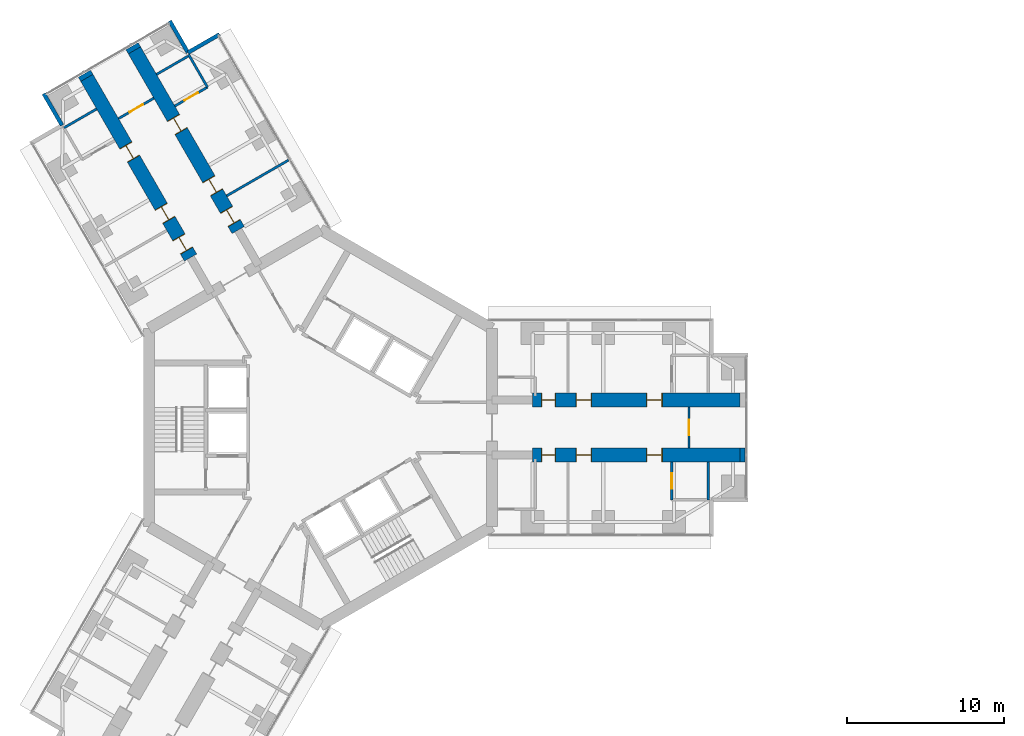
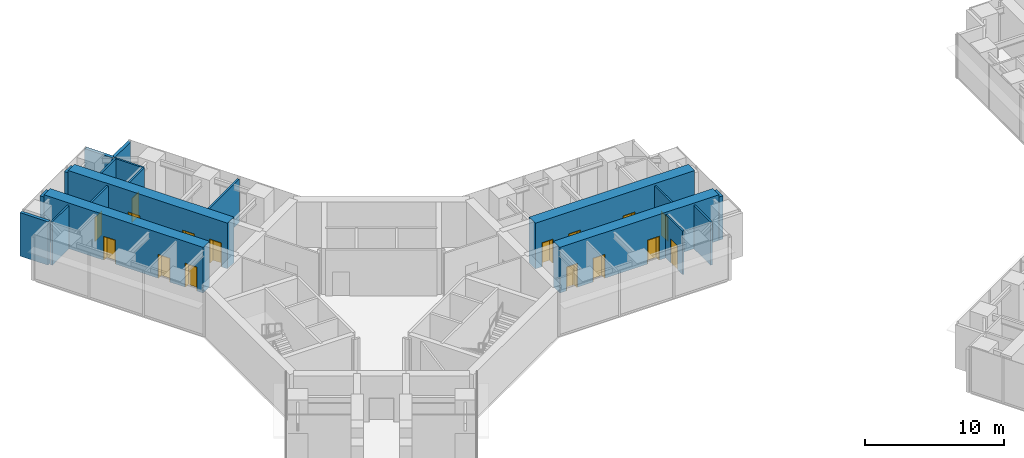
# One storey, part 19 of 24: 19 walls, 16 doors, 16 openings.
"""IFC4 building model written with IfcOpenShell, lengths in metres."""

from ifc_helpers import new_model, si_unit, direction, frame, frame_2d, origin, place, context, subcontext, project, spatial, rectangle, extrude, material, layer, layer_set, type_object, element, fill, save


model = new_model("IFC4")

# Units and contexts
model_context = context("Model", 3, precision=1e-05, world=origin(), true_north=direction((0.0, 1.0)))
body_context = subcontext(model_context, "Body", "Model", "MODEL_VIEW")
ifc_project = project(units=[si_unit("LENGTHUNIT", "METRE"), si_unit("AREAUNIT", "SQUARE_METRE"), si_unit("VOLUMEUNIT", "CUBIC_METRE"), si_unit("PLANEANGLEUNIT", "RADIAN"), si_unit("MASSUNIT", "GRAM", prefix="KILO")], contexts=[model_context])

# Site, building, storey
site_placement = place(None, origin())
site = spatial("IfcSite", under=ifc_project, at=site_placement, CompositionType="ELEMENT")
building_placement = place(site_placement, origin())
building = spatial("IfcBuilding", under=site, at=building_placement, Name="Upepo Twin Towers", CompositionType="ELEMENT")
storey_placement = place(building_placement, frame((0.0, 0.0, 56.5)))
storey = spatial("IfcBuildingStorey", under=building, at=storey_placement, Name="L13", CompositionType="ELEMENT", Elevation=56.5)

# Walls
ifc_material_1 = material(Name="Dense concrete blockwork", Category="masonry")
ifc_layer_1 = layer(ifc_material_1, 0.89990234375)
ifc_layer_set_1 = layer_set([ifc_layer_1], Name="Buttress closer 900, blockwork with fire-stopping to the curtain wall")
wall_type_1 = type_object("IfcWallType", Name="Buttress closer 900, blockwork with fire-stopping to the curtain wall", PredefinedType="PARTITIONING", material=ifc_layer_set_1)
for number, where, z_axis, x_axis, name in (
    (1, (26.699951171875, -1.75, 0.0), (0.0, 0.0, 1.0), (1.0, 0.0, 0.0), "T1 L13 wing A buttress closer R"),
    (2, (-14.865478515625, 22.247802734375, 0.0), (0.0, 0.0, 1.0), (-0.499949632511, 0.866054481515, 0.0), "T1 L13 wing B buttress closer L"),
    (3, (-11.83447265625, 23.997802734375, 0.0), (0.0, 0.0, 1.0), (-0.499949632511, 0.866054481515, 0.0), "T1 L13 wing B buttress closer R"),
):
    element("IfcWall", number, at=place(storey_placement, frame(where, z_axis=z_axis, x_axis=x_axis)), inside=storey, type_object=wall_type_1, Name=name, PredefinedType="PARTITIONING", context=body_context, shape_type="SweptSolid", body=[
        extrude(rectangle(XDim=0.31005859375, YDim=0.89990234375, at=frame_2d((0.155029296875, 0.0))), origin(), (0.0, 0.0, 1.0), 3.800048828125),
    ])

# Wall, openings, doors
ifc_material_2 = material(Name="Concrete C60/75", Category="concrete")
ifc_layer_2 = layer(ifc_material_2, 0.89990234375)
ifc_layer_set_2 = layer_set([ifc_layer_2], Name="Concrete C60/75")
wall_type_2 = type_object("IfcWallType", Name="Buttress wall 900 RC", PredefinedType="SHEAR", material=ifc_layer_set_2)
wall_1_placement = place(storey_placement, frame((13.5, 1.75, 0.0), z_axis=(0.0, 0.0, 1.0), x_axis=(1.0, 0.0, 0.0)))
wall_1 = element("IfcWall", 4, at=wall_1_placement, inside=storey, type_object=wall_type_2, Name="T1 wing A buttress wall L part 2", PredefinedType="SHEAR", context=body_context, shape_type="SweptSolid", body=[
    extrude(rectangle(XDim=13.199951171875, YDim=0.89990234375, at=frame_2d((6.60009765625, 0.0))), origin(), (0.0, 0.0, 1.0), 4.0),
])
opening_1_placement = place(wall_1_placement, frame((0.550048828125, 0.0, 0.0)))
opening_1 = element("IfcOpeningElement", 5, at=opening_1_placement, cuts=wall_1, Name="Opening D11", PredefinedType="OPENING", context=body_context, shape_type="SweptSolid", body=[
    extrude(rectangle(XDim=0.89990234375, YDim=2.10009765625, at=frame_2d((0.449951171875, 1.050048828125))), frame((0.0, 0.4599609375, 0.0), z_axis=(0.0, -1.0, 0.0), x_axis=(1.0, 0.0, 0.0)), (0.0, 0.0, 1.0), 0.919921875),
])
opening_2_placement = place(wall_1_placement, frame((2.75, 0.0, 0.0)))
opening_2 = element("IfcOpeningElement", 6, at=opening_2_placement, cuts=wall_1, Name="Opening D1", PredefinedType="OPENING", context=body_context, shape_type="SweptSolid", body=[
    extrude(rectangle(XDim=1.0, YDim=2.10009765625, at=frame_2d((0.5, 1.050048828125))), frame((0.0, 0.4599609375, 0.0), z_axis=(0.0, -1.0, 0.0), x_axis=(1.0, 0.0, 0.0)), (0.0, 0.0, 1.0), 0.919921875),
])
opening_3_placement = place(wall_1_placement, frame((7.25, 0.0, 0.0)))
opening_3 = element("IfcOpeningElement", 7, at=opening_3_placement, cuts=wall_1, Name="Opening D1", PredefinedType="OPENING", context=body_context, shape_type="SweptSolid", body=[
    extrude(rectangle(XDim=1.0, YDim=2.10009765625, at=frame_2d((0.5, 1.050048828125))), frame((0.0, 0.4599609375, 0.0), z_axis=(0.0, -1.0, 0.0), x_axis=(1.0, 0.0, 0.0)), (0.0, 0.0, 1.0), 0.919921875),
])
ifc_material_3 = material(Name="Timber doorset", Category="wood")
door_type_1 = type_object("IfcDoorType", Name="Room door 1000 FD30", OperationType="SINGLE_SWING_LEFT", PredefinedType="DOOR", material=ifc_material_3)
door_1_placement = place(opening_2_placement, origin())
door_1 = element("IfcDoor", 8, at=door_1_placement, inside=storey, type_object=door_type_1, Name="T1 L13 teaching laboratory door", OperationType="SINGLE_SWING_LEFT", OverallHeight=2.10009765625, OverallWidth=1.0, PredefinedType="DOOR", context=body_context, shape_type="SweptSolid", body=[
    extrude(rectangle(XDim=0.92, YDim=2.06009765625, at=frame_2d((0.5, 1.030029296875))), frame((0.0, 0.02490234375, 0.0), z_axis=(0.0, -1.0, 0.0), x_axis=(1.0, 0.0, 0.0)), (0.0, 0.0, 1.0), 0.050048828125),
    extrude(rectangle(XDim=0.04, YDim=2.10009765625, at=frame_2d((0.02001953125, 1.050048828125))), frame((0.0, 0.44970703125, 0.0), z_axis=(0.0, -1.0, 0.0), x_axis=(1.0, 0.0, 0.0)), (0.0, 0.0, 1.0), 0.8994140625),
    extrude(rectangle(XDim=0.04, YDim=2.10009765625, at=frame_2d((0.97998046875, 1.050048828125))), frame((0.0, 0.44970703125, 0.0), z_axis=(0.0, -1.0, 0.0), x_axis=(1.0, 0.0, 0.0)), (0.0, 0.0, 1.0), 0.8994140625),
    extrude(rectangle(XDim=0.92, YDim=0.04, at=frame_2d((0.5, 2.080078125))), frame((0.0, 0.44970703125, 0.0), z_axis=(0.0, -1.0, 0.0), x_axis=(1.0, 0.0, 0.0)), (0.0, 0.0, 1.0), 0.8994140625),
])
fill(opening_2, door_1)
door_2_placement = place(opening_3_placement, origin())
door_2 = element("IfcDoor", 9, at=door_2_placement, inside=storey, type_object=door_type_1, Name="T1 L13 teaching laboratory door", OperationType="SINGLE_SWING_RIGHT", OverallHeight=2.10009765625, OverallWidth=1.0, PredefinedType="DOOR", context=body_context, shape_type="SweptSolid", body=[
    extrude(rectangle(XDim=0.92, YDim=2.06009765625, at=frame_2d((0.5, 1.030029296875))), frame((0.0, 0.02490234375, 0.0), z_axis=(0.0, -1.0, 0.0), x_axis=(1.0, 0.0, 0.0)), (0.0, 0.0, 1.0), 0.050048828125),
    extrude(rectangle(XDim=0.04, YDim=2.10009765625, at=frame_2d((0.02001953125, 1.050048828125))), frame((0.0, 0.44970703125, 0.0), z_axis=(0.0, -1.0, 0.0), x_axis=(1.0, 0.0, 0.0)), (0.0, 0.0, 1.0), 0.8994140625),
    extrude(rectangle(XDim=0.04, YDim=2.10009765625, at=frame_2d((0.97998046875, 1.050048828125))), frame((0.0, 0.44970703125, 0.0), z_axis=(0.0, -1.0, 0.0), x_axis=(1.0, 0.0, 0.0)), (0.0, 0.0, 1.0), 0.8994140625),
    extrude(rectangle(XDim=0.92, YDim=0.04, at=frame_2d((0.5, 2.080078125))), frame((0.0, 0.44970703125, 0.0), z_axis=(0.0, -1.0, 0.0), x_axis=(1.0, 0.0, 0.0)), (0.0, 0.0, 1.0), 0.8994140625),
])
fill(opening_3, door_2)
ifc_material_4 = material(Name="Timber doorset", Category="wood")
door_type_2 = type_object("IfcDoorType", Name="Toilet door 900", OperationType="SINGLE_SWING_LEFT", PredefinedType="DOOR", material=ifc_material_4)
door_3_placement = place(opening_1_placement, origin())
door_3 = element("IfcDoor", 10, at=door_3_placement, inside=storey, type_object=door_type_2, Name="T1 L13 toilets door", OperationType="SINGLE_SWING_LEFT", OverallHeight=2.10009765625, OverallWidth=0.89990234375, PredefinedType="DOOR", context=body_context, shape_type="SweptSolid", body=[
    extrude(rectangle(XDim=0.81990234375, YDim=2.06009765625, at=frame_2d((0.449951171875, 1.030029296875))), frame((0.0, 0.02490234375, 0.0), z_axis=(0.0, -1.0, 0.0), x_axis=(1.0, 0.0, 0.0)), (0.0, 0.0, 1.0), 0.050048828125),
    extrude(rectangle(XDim=0.04, YDim=2.10009765625, at=frame_2d((0.02001953125, 1.050048828125))), frame((0.0, 0.44970703125, 0.0), z_axis=(0.0, -1.0, 0.0), x_axis=(1.0, 0.0, 0.0)), (0.0, 0.0, 1.0), 0.8994140625),
    extrude(rectangle(XDim=0.04, YDim=2.10009765625, at=frame_2d((0.8798828125, 1.050048828125))), frame((0.0, 0.44970703125, 0.0), z_axis=(0.0, -1.0, 0.0), x_axis=(1.0, 0.0, 0.0)), (0.0, 0.0, 1.0), 0.8994140625),
    extrude(rectangle(XDim=0.81990234375, YDim=0.04, at=frame_2d((0.449951171875, 2.080078125))), frame((0.0, 0.44970703125, 0.0), z_axis=(0.0, -1.0, 0.0), x_axis=(1.0, 0.0, 0.0)), (0.0, 0.0, 1.0), 0.8994140625),
])
fill(opening_1, door_3)

wall_2_placement = place(storey_placement, frame((13.5, -1.75, 0.0), z_axis=(0.0, 0.0, 1.0), x_axis=(1.0, 0.0, 0.0)))
wall_2 = element("IfcWall", 11, at=wall_2_placement, inside=storey, type_object=wall_type_2, Name="T1 wing A buttress wall R part 2", PredefinedType="SHEAR", context=body_context, shape_type="SweptSolid", body=[
    extrude(rectangle(XDim=13.199951171875, YDim=0.89990234375, at=frame_2d((6.60009765625, 0.0))), origin(), (0.0, 0.0, 1.0), 4.0),
])
opening_4_placement = place(wall_2_placement, frame((0.550048828125, 0.0, 0.0)))
opening_4 = element("IfcOpeningElement", 12, at=opening_4_placement, cuts=wall_2, Name="Opening D11", PredefinedType="OPENING", context=body_context, shape_type="SweptSolid", body=[
    extrude(rectangle(XDim=0.89990234375, YDim=2.10009765625, at=frame_2d((0.449951171875, 1.050048828125))), frame((0.0, 0.4599609375, 0.0), z_axis=(0.0, -1.0, 0.0), x_axis=(1.0, 0.0, 0.0)), (0.0, 0.0, 1.0), 0.919921875),
])
opening_5_placement = place(wall_2_placement, frame((2.75, 0.0, 0.0)))
opening_5 = element("IfcOpeningElement", 13, at=opening_5_placement, cuts=wall_2, Name="Opening D1", PredefinedType="OPENING", context=body_context, shape_type="SweptSolid", body=[
    extrude(rectangle(XDim=1.0, YDim=2.10009765625, at=frame_2d((0.5, 1.050048828125))), frame((0.0, 0.4599609375, 0.0), z_axis=(0.0, -1.0, 0.0), x_axis=(1.0, 0.0, 0.0)), (0.0, 0.0, 1.0), 0.919921875),
])
opening_6_placement = place(wall_2_placement, frame((7.25, 0.0, 0.0)))
opening_6 = element("IfcOpeningElement", 14, at=opening_6_placement, cuts=wall_2, Name="Opening D1", PredefinedType="OPENING", context=body_context, shape_type="SweptSolid", body=[
    extrude(rectangle(XDim=1.0, YDim=2.10009765625, at=frame_2d((0.5, 1.050048828125))), frame((0.0, 0.4599609375, 0.0), z_axis=(0.0, -1.0, 0.0), x_axis=(1.0, 0.0, 0.0)), (0.0, 0.0, 1.0), 0.919921875),
])
door_4_placement = place(opening_5_placement, origin())
door_4 = element("IfcDoor", 15, at=door_4_placement, inside=storey, type_object=door_type_1, Name="T1 L13 teaching laboratory door", OperationType="SINGLE_SWING_LEFT", OverallHeight=2.10009765625, OverallWidth=1.0, PredefinedType="DOOR", context=body_context, shape_type="SweptSolid", body=[
    extrude(rectangle(XDim=0.92, YDim=2.06009765625, at=frame_2d((0.5, 1.030029296875))), frame((0.0, 0.02490234375, 0.0), z_axis=(0.0, -1.0, 0.0), x_axis=(1.0, 0.0, 0.0)), (0.0, 0.0, 1.0), 0.050048828125),
    extrude(rectangle(XDim=0.04, YDim=2.10009765625, at=frame_2d((0.02001953125, 1.050048828125))), frame((0.0, 0.44970703125, 0.0), z_axis=(0.0, -1.0, 0.0), x_axis=(1.0, 0.0, 0.0)), (0.0, 0.0, 1.0), 0.8994140625),
    extrude(rectangle(XDim=0.04, YDim=2.10009765625, at=frame_2d((0.97998046875, 1.050048828125))), frame((0.0, 0.44970703125, 0.0), z_axis=(0.0, -1.0, 0.0), x_axis=(1.0, 0.0, 0.0)), (0.0, 0.0, 1.0), 0.8994140625),
    extrude(rectangle(XDim=0.92, YDim=0.04, at=frame_2d((0.5, 2.080078125))), frame((0.0, 0.44970703125, 0.0), z_axis=(0.0, -1.0, 0.0), x_axis=(1.0, 0.0, 0.0)), (0.0, 0.0, 1.0), 0.8994140625),
])
fill(opening_5, door_4)
door_5_placement = place(opening_6_placement, origin())
door_5 = element("IfcDoor", 16, at=door_5_placement, inside=storey, type_object=door_type_1, Name="T1 L13 teaching laboratory door", OperationType="SINGLE_SWING_RIGHT", OverallHeight=2.10009765625, OverallWidth=1.0, PredefinedType="DOOR", context=body_context, shape_type="SweptSolid", body=[
    extrude(rectangle(XDim=0.92, YDim=2.06009765625, at=frame_2d((0.5, 1.030029296875))), frame((0.0, 0.02490234375, 0.0), z_axis=(0.0, -1.0, 0.0), x_axis=(1.0, 0.0, 0.0)), (0.0, 0.0, 1.0), 0.050048828125),
    extrude(rectangle(XDim=0.04, YDim=2.10009765625, at=frame_2d((0.02001953125, 1.050048828125))), frame((0.0, 0.44970703125, 0.0), z_axis=(0.0, -1.0, 0.0), x_axis=(1.0, 0.0, 0.0)), (0.0, 0.0, 1.0), 0.8994140625),
    extrude(rectangle(XDim=0.04, YDim=2.10009765625, at=frame_2d((0.97998046875, 1.050048828125))), frame((0.0, 0.44970703125, 0.0), z_axis=(0.0, -1.0, 0.0), x_axis=(1.0, 0.0, 0.0)), (0.0, 0.0, 1.0), 0.8994140625),
    extrude(rectangle(XDim=0.92, YDim=0.04, at=frame_2d((0.5, 2.080078125))), frame((0.0, 0.44970703125, 0.0), z_axis=(0.0, -1.0, 0.0), x_axis=(1.0, 0.0, 0.0)), (0.0, 0.0, 1.0), 0.8994140625),
])
fill(opening_6, door_5)
door_6_placement = place(opening_4_placement, origin())
door_6 = element("IfcDoor", 17, at=door_6_placement, inside=storey, type_object=door_type_2, Name="T1 L13 accessible wc door", OperationType="SINGLE_SWING_LEFT", OverallHeight=2.10009765625, OverallWidth=0.89990234375, PredefinedType="DOOR", context=body_context, shape_type="SweptSolid", body=[
    extrude(rectangle(XDim=0.81990234375, YDim=2.06009765625, at=frame_2d((0.449951171875, 1.030029296875))), frame((0.0, 0.02490234375, 0.0), z_axis=(0.0, -1.0, 0.0), x_axis=(1.0, 0.0, 0.0)), (0.0, 0.0, 1.0), 0.050048828125),
    extrude(rectangle(XDim=0.04, YDim=2.10009765625, at=frame_2d((0.02001953125, 1.050048828125))), frame((0.0, 0.44970703125, 0.0), z_axis=(0.0, -1.0, 0.0), x_axis=(1.0, 0.0, 0.0)), (0.0, 0.0, 1.0), 0.8994140625),
    extrude(rectangle(XDim=0.04, YDim=2.10009765625, at=frame_2d((0.8798828125, 1.050048828125))), frame((0.0, 0.44970703125, 0.0), z_axis=(0.0, -1.0, 0.0), x_axis=(1.0, 0.0, 0.0)), (0.0, 0.0, 1.0), 0.8994140625),
    extrude(rectangle(XDim=0.81990234375, YDim=0.04, at=frame_2d((0.449951171875, 2.080078125))), frame((0.0, 0.44970703125, 0.0), z_axis=(0.0, -1.0, 0.0), x_axis=(1.0, 0.0, 0.0)), (0.0, 0.0, 1.0), 0.8994140625),
])
fill(opening_4, door_6)

wall_3_placement = place(storey_placement, frame((-8.265625, 10.81640625, 0.0), z_axis=(0.0, 0.0, 1.0), x_axis=(-0.499996231654, 0.866027579429, 0.0)))
wall_3 = element("IfcWall", 18, at=wall_3_placement, inside=storey, type_object=wall_type_2, Name="T1 wing B buttress wall L part 2", PredefinedType="SHEAR", context=body_context, shape_type="SweptSolid", body=[
    extrude(rectangle(XDim=13.19970703125, YDim=0.89990234375, at=frame_2d((6.599853515625, 0.0))), origin(), (0.0, 0.0, 1.0), 4.0),
])
opening_7_placement = place(wall_3_placement, frame((0.5, 0.0, 0.0)))
opening_7 = element("IfcOpeningElement", 19, at=opening_7_placement, cuts=wall_3, Name="Opening D1", PredefinedType="OPENING", context=body_context, shape_type="SweptSolid", body=[
    extrude(rectangle(XDim=1.0, YDim=2.10009765625, at=frame_2d((0.5, 1.050048828125))), frame((0.0, 0.4599609375, 0.0), z_axis=(0.0, -1.0, 0.0), x_axis=(1.0, 0.0, 0.0)), (0.0, 0.0, 1.0), 0.919921875),
])
opening_8_placement = place(wall_3_placement, frame((2.75, 0.0, 0.0)))
opening_8 = element("IfcOpeningElement", 20, at=opening_8_placement, cuts=wall_3, Name="Opening D1", PredefinedType="OPENING", context=body_context, shape_type="SweptSolid", body=[
    extrude(rectangle(XDim=1.0, YDim=2.10009765625, at=frame_2d((0.5, 1.050048828125))), frame((0.0, 0.4599609375, 0.0), z_axis=(0.0, -1.0, 0.0), x_axis=(1.0, 0.0, 0.0)), (0.0, 0.0, 1.0), 0.919921875),
])
opening_9_placement = place(wall_3_placement, frame((7.25, 0.0, 0.0)))
opening_9 = element("IfcOpeningElement", 21, at=opening_9_placement, cuts=wall_3, Name="Opening D1", PredefinedType="OPENING", context=body_context, shape_type="SweptSolid", body=[
    extrude(rectangle(XDim=1.0, YDim=2.10009765625, at=frame_2d((0.5, 1.050048828125))), frame((0.0, 0.4599609375, 0.0), z_axis=(0.0, -1.0, 0.0), x_axis=(1.0, 0.0, 0.0)), (0.0, 0.0, 1.0), 0.919921875),
])
door_7_placement = place(opening_7_placement, origin())
door_7 = element("IfcDoor", 22, at=door_7_placement, inside=storey, type_object=door_type_1, Name="T1 L13 seminar room door", OperationType="SINGLE_SWING_LEFT", OverallHeight=2.10009765625, OverallWidth=1.0, PredefinedType="DOOR", context=body_context, shape_type="SweptSolid", body=[
    extrude(rectangle(XDim=0.92, YDim=2.06009765625, at=frame_2d((0.5, 1.030029296875))), frame((0.0, 0.02490234375, 0.0), z_axis=(0.0, -1.0, 0.0), x_axis=(1.0, 0.0, 0.0)), (0.0, 0.0, 1.0), 0.050048828125),
    extrude(rectangle(XDim=0.04, YDim=2.10009765625, at=frame_2d((0.02001953125, 1.050048828125))), frame((0.0, 0.44970703125, 0.0), z_axis=(0.0, -1.0, 0.0), x_axis=(1.0, 0.0, 0.0)), (0.0, 0.0, 1.0), 0.8994140625),
    extrude(rectangle(XDim=0.04, YDim=2.10009765625, at=frame_2d((0.97998046875, 1.050048828125))), frame((0.0, 0.44970703125, 0.0), z_axis=(0.0, -1.0, 0.0), x_axis=(1.0, 0.0, 0.0)), (0.0, 0.0, 1.0), 0.8994140625),
    extrude(rectangle(XDim=0.92, YDim=0.04, at=frame_2d((0.5, 2.080078125))), frame((0.0, 0.44970703125, 0.0), z_axis=(0.0, -1.0, 0.0), x_axis=(1.0, 0.0, 0.0)), (0.0, 0.0, 1.0), 0.8994140625),
])
fill(opening_7, door_7)
door_8_placement = place(opening_8_placement, origin())
door_8 = element("IfcDoor", 23, at=door_8_placement, inside=storey, type_object=door_type_1, Name="T1 L13 teaching laboratory door", OperationType="SINGLE_SWING_LEFT", OverallHeight=2.10009765625, OverallWidth=1.0, PredefinedType="DOOR", context=body_context, shape_type="SweptSolid", body=[
    extrude(rectangle(XDim=0.92, YDim=2.06009765625, at=frame_2d((0.5, 1.030029296875))), frame((0.0, 0.02490234375, 0.0), z_axis=(0.0, -1.0, 0.0), x_axis=(1.0, 0.0, 0.0)), (0.0, 0.0, 1.0), 0.050048828125),
    extrude(rectangle(XDim=0.04, YDim=2.10009765625, at=frame_2d((0.02001953125, 1.050048828125))), frame((0.0, 0.44970703125, 0.0), z_axis=(0.0, -1.0, 0.0), x_axis=(1.0, 0.0, 0.0)), (0.0, 0.0, 1.0), 0.8994140625),
    extrude(rectangle(XDim=0.04, YDim=2.10009765625, at=frame_2d((0.97998046875, 1.050048828125))), frame((0.0, 0.44970703125, 0.0), z_axis=(0.0, -1.0, 0.0), x_axis=(1.0, 0.0, 0.0)), (0.0, 0.0, 1.0), 0.8994140625),
    extrude(rectangle(XDim=0.92, YDim=0.04, at=frame_2d((0.5, 2.080078125))), frame((0.0, 0.44970703125, 0.0), z_axis=(0.0, -1.0, 0.0), x_axis=(1.0, 0.0, 0.0)), (0.0, 0.0, 1.0), 0.8994140625),
])
fill(opening_8, door_8)
door_9_placement = place(opening_9_placement, origin())
door_9 = element("IfcDoor", 24, at=door_9_placement, inside=storey, type_object=door_type_1, Name="T1 L13 teaching laboratory door", OperationType="SINGLE_SWING_RIGHT", OverallHeight=2.10009765625, OverallWidth=1.0, PredefinedType="DOOR", context=body_context, shape_type="SweptSolid", body=[
    extrude(rectangle(XDim=0.92, YDim=2.06009765625, at=frame_2d((0.5, 1.030029296875))), frame((0.0, 0.02490234375, 0.0), z_axis=(0.0, -1.0, 0.0), x_axis=(1.0, 0.0, 0.0)), (0.0, 0.0, 1.0), 0.050048828125),
    extrude(rectangle(XDim=0.04, YDim=2.10009765625, at=frame_2d((0.02001953125, 1.050048828125))), frame((0.0, 0.44970703125, 0.0), z_axis=(0.0, -1.0, 0.0), x_axis=(1.0, 0.0, 0.0)), (0.0, 0.0, 1.0), 0.8994140625),
    extrude(rectangle(XDim=0.04, YDim=2.10009765625, at=frame_2d((0.97998046875, 1.050048828125))), frame((0.0, 0.44970703125, 0.0), z_axis=(0.0, -1.0, 0.0), x_axis=(1.0, 0.0, 0.0)), (0.0, 0.0, 1.0), 0.8994140625),
    extrude(rectangle(XDim=0.92, YDim=0.04, at=frame_2d((0.5, 2.080078125))), frame((0.0, 0.44970703125, 0.0), z_axis=(0.0, -1.0, 0.0), x_axis=(1.0, 0.0, 0.0)), (0.0, 0.0, 1.0), 0.8994140625),
])
fill(opening_9, door_9)

wall_4_placement = place(storey_placement, frame((-5.234375, 12.56640625, 0.0), z_axis=(0.0, 0.0, 1.0), x_axis=(-0.500010103361, 0.866019570528, 0.0)))
wall_4 = element("IfcWall", 25, at=wall_4_placement, inside=storey, type_object=wall_type_2, Name="T1 wing B buttress wall R part 2", PredefinedType="SHEAR", context=body_context, shape_type="SweptSolid", body=[
    extrude(rectangle(XDim=13.199951171875, YDim=0.89990234375, at=frame_2d((6.60009765625, 0.0))), origin(), (0.0, 0.0, 1.0), 4.0),
])
opening_10_placement = place(wall_4_placement, frame((0.5, 0.0, 0.0)))
opening_10 = element("IfcOpeningElement", 26, at=opening_10_placement, cuts=wall_4, Name="Opening D1", PredefinedType="OPENING", context=body_context, shape_type="SweptSolid", body=[
    extrude(rectangle(XDim=1.0, YDim=2.10009765625, at=frame_2d((0.5, 1.050048828125))), frame((0.0, 0.4599609375, 0.0), z_axis=(0.0, -1.0, 0.0), x_axis=(1.0, 0.0, 0.0)), (0.0, 0.0, 1.0), 0.919921875),
])
opening_11_placement = place(wall_4_placement, frame((2.75, 0.0, 0.0)))
opening_11 = element("IfcOpeningElement", 27, at=opening_11_placement, cuts=wall_4, Name="Opening D1", PredefinedType="OPENING", context=body_context, shape_type="SweptSolid", body=[
    extrude(rectangle(XDim=1.0, YDim=2.10009765625, at=frame_2d((0.5, 1.050048828125))), frame((0.0, 0.4599609375, 0.0), z_axis=(0.0, -1.0, 0.0), x_axis=(1.0, 0.0, 0.0)), (0.0, 0.0, 1.0), 0.919921875),
])
opening_12_placement = place(wall_4_placement, frame((7.25, 0.0, 0.0)))
opening_12 = element("IfcOpeningElement", 28, at=opening_12_placement, cuts=wall_4, Name="Opening D1", PredefinedType="OPENING", context=body_context, shape_type="SweptSolid", body=[
    extrude(rectangle(XDim=1.0, YDim=2.10009765625, at=frame_2d((0.5, 1.050048828125))), frame((0.0, 0.4599609375, 0.0), z_axis=(0.0, -1.0, 0.0), x_axis=(1.0, 0.0, 0.0)), (0.0, 0.0, 1.0), 0.919921875),
])
door_10_placement = place(opening_10_placement, origin())
door_10 = element("IfcDoor", 29, at=door_10_placement, inside=storey, type_object=door_type_1, Name="T1 L13 staff office door", OperationType="SINGLE_SWING_LEFT", OverallHeight=2.10009765625, OverallWidth=1.0, PredefinedType="DOOR", context=body_context, shape_type="SweptSolid", body=[
    extrude(rectangle(XDim=0.92, YDim=2.06009765625, at=frame_2d((0.5, 1.030029296875))), frame((0.0, 0.02490234375, 0.0), z_axis=(0.0, -1.0, 0.0), x_axis=(1.0, 0.0, 0.0)), (0.0, 0.0, 1.0), 0.050048828125),
    extrude(rectangle(XDim=0.04, YDim=2.10009765625, at=frame_2d((0.02001953125, 1.050048828125))), frame((0.0, 0.44970703125, 0.0), z_axis=(0.0, -1.0, 0.0), x_axis=(1.0, 0.0, 0.0)), (0.0, 0.0, 1.0), 0.8994140625),
    extrude(rectangle(XDim=0.04, YDim=2.10009765625, at=frame_2d((0.97998046875, 1.050048828125))), frame((0.0, 0.44970703125, 0.0), z_axis=(0.0, -1.0, 0.0), x_axis=(1.0, 0.0, 0.0)), (0.0, 0.0, 1.0), 0.8994140625),
    extrude(rectangle(XDim=0.92, YDim=0.04, at=frame_2d((0.5, 2.080078125))), frame((0.0, 0.44970703125, 0.0), z_axis=(0.0, -1.0, 0.0), x_axis=(1.0, 0.0, 0.0)), (0.0, 0.0, 1.0), 0.8994140625),
])
fill(opening_10, door_10)
door_11_placement = place(opening_11_placement, origin())
door_11 = element("IfcDoor", 30, at=door_11_placement, inside=storey, type_object=door_type_1, Name="T1 L13 teaching laboratory door", OperationType="SINGLE_SWING_LEFT", OverallHeight=2.10009765625, OverallWidth=1.0, PredefinedType="DOOR", context=body_context, shape_type="SweptSolid", body=[
    extrude(rectangle(XDim=0.92, YDim=2.06009765625, at=frame_2d((0.5, 1.030029296875))), frame((0.0, 0.02490234375, 0.0), z_axis=(0.0, -1.0, 0.0), x_axis=(1.0, 0.0, 0.0)), (0.0, 0.0, 1.0), 0.050048828125),
    extrude(rectangle(XDim=0.04, YDim=2.10009765625, at=frame_2d((0.02001953125, 1.050048828125))), frame((0.0, 0.44970703125, 0.0), z_axis=(0.0, -1.0, 0.0), x_axis=(1.0, 0.0, 0.0)), (0.0, 0.0, 1.0), 0.8994140625),
    extrude(rectangle(XDim=0.04, YDim=2.10009765625, at=frame_2d((0.97998046875, 1.050048828125))), frame((0.0, 0.44970703125, 0.0), z_axis=(0.0, -1.0, 0.0), x_axis=(1.0, 0.0, 0.0)), (0.0, 0.0, 1.0), 0.8994140625),
    extrude(rectangle(XDim=0.92, YDim=0.04, at=frame_2d((0.5, 2.080078125))), frame((0.0, 0.44970703125, 0.0), z_axis=(0.0, -1.0, 0.0), x_axis=(1.0, 0.0, 0.0)), (0.0, 0.0, 1.0), 0.8994140625),
])
fill(opening_11, door_11)
door_12_placement = place(opening_12_placement, origin())
door_12 = element("IfcDoor", 31, at=door_12_placement, inside=storey, type_object=door_type_1, Name="T1 L13 teaching laboratory door", OperationType="SINGLE_SWING_RIGHT", OverallHeight=2.10009765625, OverallWidth=1.0, PredefinedType="DOOR", context=body_context, shape_type="SweptSolid", body=[
    extrude(rectangle(XDim=0.92, YDim=2.06009765625, at=frame_2d((0.5, 1.030029296875))), frame((0.0, 0.02490234375, 0.0), z_axis=(0.0, -1.0, 0.0), x_axis=(1.0, 0.0, 0.0)), (0.0, 0.0, 1.0), 0.050048828125),
    extrude(rectangle(XDim=0.04, YDim=2.10009765625, at=frame_2d((0.02001953125, 1.050048828125))), frame((0.0, 0.44970703125, 0.0), z_axis=(0.0, -1.0, 0.0), x_axis=(1.0, 0.0, 0.0)), (0.0, 0.0, 1.0), 0.8994140625),
    extrude(rectangle(XDim=0.04, YDim=2.10009765625, at=frame_2d((0.97998046875, 1.050048828125))), frame((0.0, 0.44970703125, 0.0), z_axis=(0.0, -1.0, 0.0), x_axis=(1.0, 0.0, 0.0)), (0.0, 0.0, 1.0), 0.8994140625),
    extrude(rectangle(XDim=0.92, YDim=0.04, at=frame_2d((0.5, 2.080078125))), frame((0.0, 0.44970703125, 0.0), z_axis=(0.0, -1.0, 0.0), x_axis=(1.0, 0.0, 0.0)), (0.0, 0.0, 1.0), 0.8994140625),
])
fill(opening_12, door_12)

# Walls
ifc_material_5 = material(Name="Blockwork with anodised aluminium cladding", Category="masonry")
ifc_layer_3 = layer(ifc_material_5, 0.25)
ifc_layer_set_3 = layer_set([ifc_layer_3], Name="Notch cladding wall 250, pale metal")
wall_type_3 = type_object("IfcWallType", Name="Notch cladding wall 250, pale metal", PredefinedType="STANDARD", material=ifc_layer_set_3)
for number, where, z_axis, x_axis, name in (
    (32, (-16.44287109375, 19.22998046875, 0.0), (0.0, 0.0, 1.0), (-0.500046648681, 0.865998469481, 0.0), "T1 L13 wing B notch wall L2"),
    (33, (-6.418701171875, 25.017333984375, 0.0), (0.0, 0.0, 1.0), (-0.866043940782, -0.499967891604, 0.0), "T1 L13 wing B notch wall R1"),
    (34, (-8.43212890625, 23.85498046875, 0.0), (0.0, 0.0, 1.0), (-0.500046648681, 0.865998469481, 0.0), "T1 L13 wing B notch wall R2"),
):
    element("IfcWall", number, at=place(storey_placement, frame(where, z_axis=z_axis, x_axis=x_axis)), inside=storey, type_object=wall_type_3, Name=name, PredefinedType="STANDARD", context=body_context, shape_type="SweptSolid", body=[
        extrude(rectangle(XDim=2.324951171875, YDim=0.25, at=frame_2d((1.16259765625, 0.0))), origin(), (0.0, 0.0, 1.0), 3.800048828125),
    ])

# Wall, opening, door
ifc_material_6 = material(Name="Gypsum board on steel studs", Category="steel")
ifc_layer_4 = layer(ifc_material_6, 0.14990234375)
ifc_layer_set_4 = layer_set([ifc_layer_4], Name="Teaching partition 150 acoustic")
wall_type_4 = type_object("IfcWallType", Name="Teaching partition 150 acoustic", PredefinedType="PARTITIONING", material=ifc_layer_set_4)
wall_5_placement = place(storey_placement, frame((22.35009765625, -2.199951171875, 0.0), z_axis=(0.0, 0.0, 1.0), x_axis=(0.0, -1.0, 0.0)))
wall_5 = element("IfcWall", 35, at=wall_5_placement, inside=storey, type_object=wall_type_4, Name="T1 inner room partition AR end at 22.35", PredefinedType="PARTITIONING", context=body_context, shape_type="SweptSolid", body=[
    extrude(rectangle(XDim=2.400146484375, YDim=0.14990234375, at=frame_2d((1.2001953125, 0.0))), origin(), (0.0, 0.0, 1.0), 3.800048828125),
])
opening_13_placement = place(wall_5_placement, frame((0.699951171875, 0.0, 0.0)))
opening_13 = element("IfcOpeningElement", 36, at=opening_13_placement, cuts=wall_5, Name="Opening D1", PredefinedType="OPENING", context=body_context, shape_type="SweptSolid", body=[
    extrude(rectangle(XDim=1.0, YDim=2.10009765625, at=frame_2d((0.5, 1.050048828125))), frame((0.0, 0.0849609375, 0.0), z_axis=(0.0, -1.0, 0.0), x_axis=(1.0, 0.0, 0.0)), (0.0, 0.0, 1.0), 0.169921875),
])
door_13_placement = place(opening_13_placement, origin())
door_13 = element("IfcDoor", 37, at=door_13_placement, inside=storey, type_object=door_type_1, Name="T1 L13 inner room door", OperationType="SINGLE_SWING_LEFT", OverallHeight=2.10009765625, OverallWidth=1.0, PredefinedType="DOOR", context=body_context, shape_type="SweptSolid", body=[
    extrude(rectangle(XDim=1.0, YDim=2.10009765625, at=frame_2d((0.5, 1.050048828125))), frame((0.0, 0.02490234375, 0.0), z_axis=(0.0, -1.0, 0.0), x_axis=(1.0, 0.0, 0.0)), (0.0, 0.0, 1.0), 0.050048828125),
])
fill(opening_13, door_13)

# Walls
for number, where, z_axis, x_axis, name in (
    (38, (24.675048828125, -2.199951171875, 0.0), (0.0, 0.0, 1.0), (0.0, -1.0, 0.0), "T1 inner room partition AR end at 24.75"),
    (39, (-14.24267578125, 20.269287109375, 0.0), (0.0, 0.0, 1.0), (-0.866006032174, -0.500033551112, 0.0), "T1 inner room partition BL end at 24.75"),
):
    element("IfcWall", number, at=place(storey_placement, frame(where, z_axis=z_axis, x_axis=x_axis)), inside=storey, type_object=wall_type_4, Name=name, PredefinedType="PARTITIONING", context=body_context, shape_type="SweptSolid", body=[
        extrude(rectangle(XDim=2.400146484375, YDim=0.14990234375, at=frame_2d((1.2001953125, 0.0))), origin(), (0.0, 0.0, 1.0), 3.800048828125),
    ])
wall_6_placement = place(storey_placement, frame((-5.9697265625, 14.739990234375, 0.0), z_axis=(0.0, 0.0, 1.0), x_axis=(0.866035472144, 0.499982560684, 0.0)))
element("IfcWall", 40, at=wall_6_placement, inside=storey, type_object=wall_type_4, Name="T1 partition BR at 15.75", PredefinedType="PARTITIONING", context=body_context, shape_type="SweptSolid", body=[
    extrude(rectangle(XDim=4.550048828125, YDim=0.14990234375, at=frame_2d((2.27490234375, 0.0))), origin(), (0.0, 0.0, 1.0), 3.800048828125),
])
wall_7_placement = place(storey_placement, frame((-7.191162109375, 21.65576171875, 0.0), z_axis=(0.0, 0.0, 1.0), x_axis=(-0.500077600433, 0.865980596518, 0.0)))
element("IfcWall", 41, at=wall_7_placement, inside=storey, type_object=wall_type_4, Name="T1 inner room partition BR at 22.35", PredefinedType="PARTITIONING", context=body_context, shape_type="SweptSolid", body=[
    extrude(rectangle(XDim=2.39990234375, YDim=0.14990234375, at=frame_2d((1.199951171875, 0.0))), origin(), (0.0, 0.0, 1.0), 3.800048828125),
])

# Wall, opening, door
wall_8_placement = place(storey_placement, frame((-9.269775390625, 20.45556640625, 0.0), z_axis=(0.0, 0.0, 1.0), x_axis=(0.866006032174, 0.500033551112, 0.0)))
wall_8 = element("IfcWall", 42, at=wall_8_placement, inside=storey, type_object=wall_type_4, Name="T1 inner room partition BR end at 22.35", PredefinedType="PARTITIONING", context=body_context, shape_type="SweptSolid", body=[
    extrude(rectangle(XDim=2.400146484375, YDim=0.14990234375, at=frame_2d((1.2001953125, 0.0))), origin(), (0.0, 0.0, 1.0), 3.800048828125),
])
opening_14_placement = place(wall_8_placement, frame((0.699951171875, 0.0, 0.0)))
opening_14 = element("IfcOpeningElement", 43, at=opening_14_placement, cuts=wall_8, Name="Opening D1", PredefinedType="OPENING", context=body_context, shape_type="SweptSolid", body=[
    extrude(rectangle(XDim=1.0, YDim=2.10009765625, at=frame_2d((0.5, 1.050048828125))), frame((0.0, 0.0849609375, 0.0), z_axis=(0.0, -1.0, 0.0), x_axis=(1.0, 0.0, 0.0)), (0.0, 0.0, 1.0), 0.169921875),
])
door_14_placement = place(opening_14_placement, origin())
door_14 = element("IfcDoor", 44, at=door_14_placement, inside=storey, type_object=door_type_1, Name="T1 L13 inner room door", OperationType="SINGLE_SWING_LEFT", OverallHeight=2.10009765625, OverallWidth=1.0, PredefinedType="DOOR", context=body_context, shape_type="SweptSolid", body=[
    extrude(rectangle(XDim=1.0, YDim=2.10009765625, at=frame_2d((0.5, 1.050048828125))), frame((0.0, 0.02490234375, 0.0), z_axis=(0.0, -1.0, 0.0), x_axis=(1.0, 0.0, 0.0)), (0.0, 0.0, 1.0), 0.050048828125),
])
fill(opening_14, door_14)

# Wall
wall_9_placement = place(storey_placement, frame((-10.43212890625, 22.46923828125, 0.0), z_axis=(0.0, 0.0, 1.0), x_axis=(0.866024647952, 0.500001309137, 0.0)))
element("IfcWall", 45, at=wall_9_placement, inside=storey, type_object=wall_type_4, Name="T1 inner room partition BR end at 24.75", PredefinedType="PARTITIONING", context=body_context, shape_type="SweptSolid", body=[
    extrude(rectangle(XDim=2.39990234375, YDim=0.14990234375, at=frame_2d((1.199951171875, 0.0))), origin(), (0.0, 0.0, 1.0), 3.800048828125),
])

# Wall, opening, door
wall_10_placement = place(storey_placement, frame((23.449951171875, -1.300048828125, 0.0), z_axis=(0.0, 0.0, 1.0), x_axis=(0.0, 1.0, 0.0)))
wall_10 = element("IfcWall", 46, at=wall_10_placement, inside=storey, type_object=wall_type_4, Name="T1 corridor end partition A at 23.45", PredefinedType="PARTITIONING", context=body_context, shape_type="SweptSolid", body=[
    extrude(rectangle(XDim=2.60009765625, YDim=0.14990234375, at=frame_2d((1.300048828125, 0.0))), origin(), (0.0, 0.0, 1.0), 3.800048828125),
])
opening_15_placement = place(wall_10_placement, frame((0.800048828125, 0.0, 0.0)))
opening_15 = element("IfcOpeningElement", 47, at=opening_15_placement, cuts=wall_10, Name="Opening D1", PredefinedType="OPENING", context=body_context, shape_type="SweptSolid", body=[
    extrude(rectangle(XDim=1.0, YDim=2.10009765625, at=frame_2d((0.5, 1.050048828125))), frame((0.0, 0.0849609375, 0.0), z_axis=(0.0, -1.0, 0.0), x_axis=(1.0, 0.0, 0.0)), (0.0, 0.0, 1.0), 0.169921875),
])
door_15_placement = place(opening_15_placement, origin())
door_15 = element("IfcDoor", 48, at=door_15_placement, inside=storey, type_object=door_type_1, Name="T1 L13 breakout study room door", OperationType="SINGLE_SWING_LEFT", OverallHeight=2.10009765625, OverallWidth=1.0, PredefinedType="DOOR", context=body_context, shape_type="SweptSolid", body=[
    extrude(rectangle(XDim=1.0, YDim=2.10009765625, at=frame_2d((0.5, 1.050048828125))), frame((0.0, 0.02490234375, 0.0), z_axis=(0.0, -1.0, 0.0), x_axis=(1.0, 0.0, 0.0)), (0.0, 0.0, 1.0), 0.050048828125),
])
fill(opening_15, door_15)

wall_11_placement = place(storey_placement, frame((-10.59912109375, 20.958251953125, 0.0), z_axis=(0.0, 0.0, 1.0), x_axis=(-0.866021400173, -0.500006934395, 0.0)))
wall_11 = element("IfcWall", 49, at=wall_11_placement, inside=storey, type_object=wall_type_4, Name="T1 corridor end partition B at 23.45", PredefinedType="PARTITIONING", context=body_context, shape_type="SweptSolid", body=[
    extrude(rectangle(XDim=2.60009765625, YDim=0.14990234375, at=frame_2d((1.300048828125, 0.0))), origin(), (0.0, 0.0, 1.0), 3.800048828125),
])
opening_16_placement = place(wall_11_placement, frame((0.800048828125, 0.0, 0.0)))
opening_16 = element("IfcOpeningElement", 50, at=opening_16_placement, cuts=wall_11, Name="Opening D1", PredefinedType="OPENING", context=body_context, shape_type="SweptSolid", body=[
    extrude(rectangle(XDim=1.0, YDim=2.10009765625, at=frame_2d((0.5, 1.050048828125))), frame((0.0, 0.0849609375, 0.0), z_axis=(0.0, -1.0, 0.0), x_axis=(1.0, 0.0, 0.0)), (0.0, 0.0, 1.0), 0.169921875),
])
door_16_placement = place(opening_16_placement, origin())
door_16 = element("IfcDoor", 51, at=door_16_placement, inside=storey, type_object=door_type_1, Name="T1 L13 breakout study room door", OperationType="SINGLE_SWING_RIGHT", OverallHeight=2.10009765625, OverallWidth=1.0, PredefinedType="DOOR", context=body_context, shape_type="SweptSolid", body=[
    extrude(rectangle(XDim=1.0, YDim=2.10009765625, at=frame_2d((0.5, 1.050048828125))), frame((0.0, 0.02490234375, 0.0), z_axis=(0.0, -1.0, 0.0), x_axis=(1.0, 0.0, 0.0)), (0.0, 0.0, 1.0), 0.050048828125),
])
fill(opening_16, door_16)

save(model, "model.ifc")
